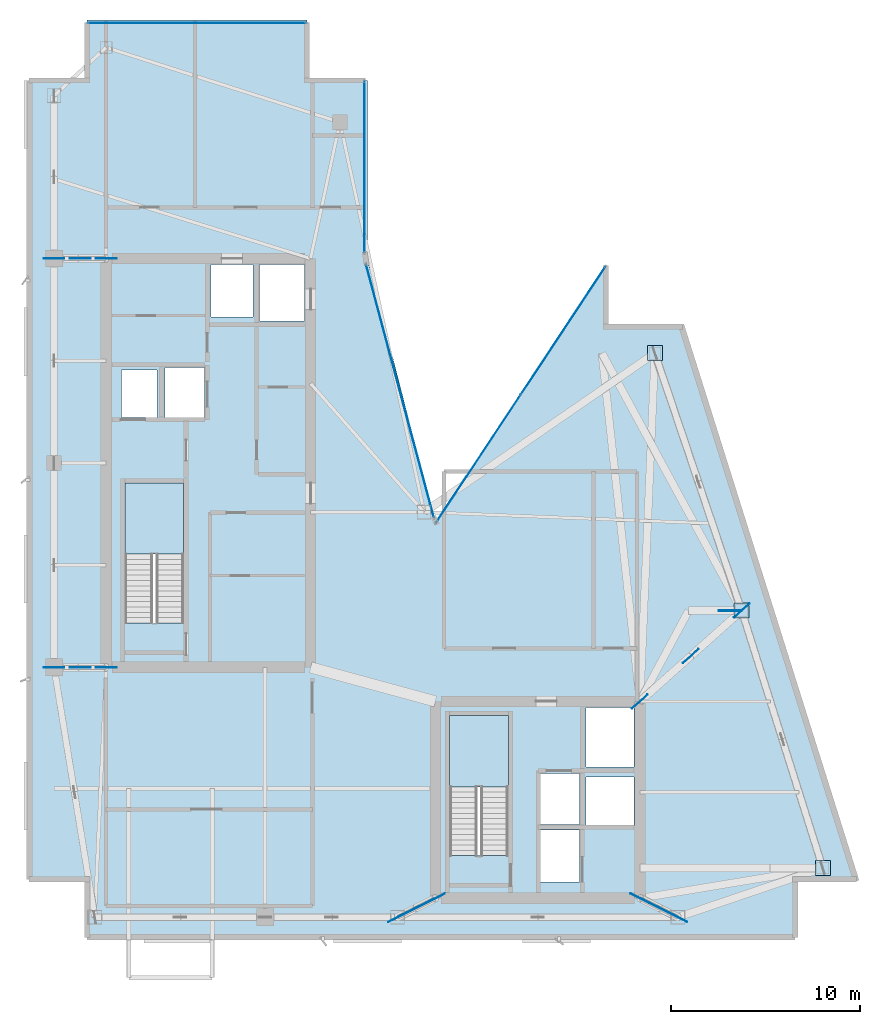
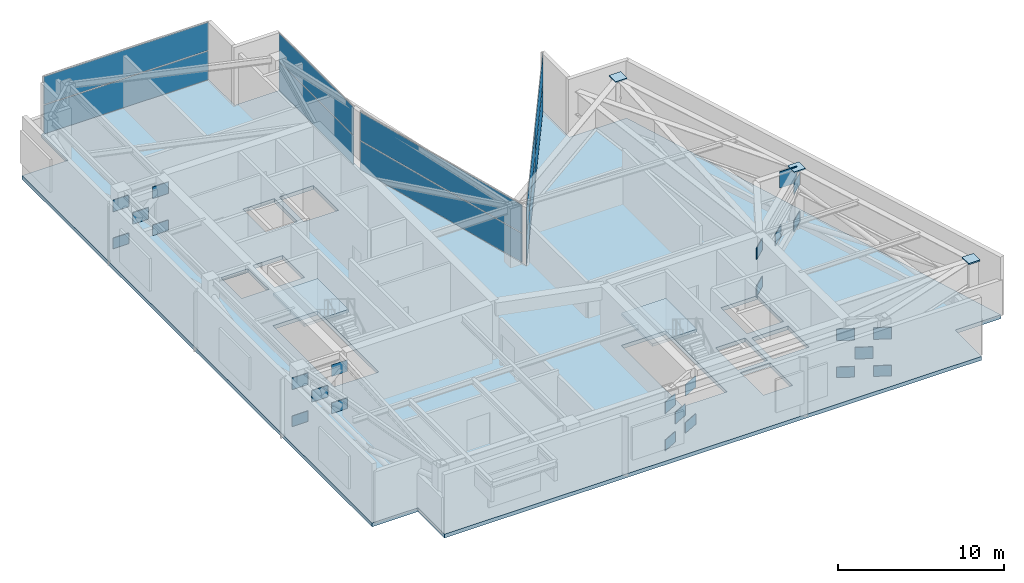
# One storey, part 9 of 15: 39 plates, 3 slabs, 6 elements without a shape of their own.
"""IFC4 building model written with IfcOpenShell, lengths in metres."""

import ifcopenshell
import ifcopenshell.guid

model = None  # the IFC model being written
_history = None  # IfcOwnerHistory: only IFC2X3 demands one
_inside = {}  # id of a spatial element -> (the spatial element, [elements in it])
_under = {}  # id of a project, library or spatial element -> (it, [spatial elements below it])
_declared = {}  # id of a project -> (the project, [libraries it declares])
_typed = {}  # id of a type object -> (the type object, [elements of that type])
_made_of = {}  # id of a material, layer set ... -> (it, [elements and type objects made of it])


def new_model(schema):
    """Start an empty IFC model of exactly this schema.

    Asked for "IFC4X3", IfcOpenShell would pick the latest addendum, in which some entities
    have other attributes; the version numbers below select the first issue.
    IFC2X3 requires an IfcOwnerHistory on every rooted entity: one is made here for all.
    """
    global model, _history
    if schema == "IFC4X3":
        model = ifcopenshell.file(schema_version=(4, 3, 0, 0))
    else:
        model = ifcopenshell.file(schema=schema)
    _inside.clear()
    _under.clear()
    _declared.clear()
    _typed.clear()
    _made_of.clear()
    _history = None
    if model.schema == "IFC2X3":
        org = make("IfcOrganization", Name="unknown")
        user = make(
            "IfcPersonAndOrganization",
            ThePerson=make("IfcPerson", FamilyName="unknown"),
            TheOrganization=org,
        )
        app = make(
            "IfcApplication",
            ApplicationDeveloper=org,
            Version="unknown",
            ApplicationFullName="unknown",
            ApplicationIdentifier="unknown",
        )
        _history = make(
            "IfcOwnerHistory",
            OwningUser=user,
            OwningApplication=app,
            ChangeAction="ADDED",
            CreationDate=0,
        )
    return model


def make(cls, **values):
    """One entity of the class cls with the attributes given. An attribute that is None is left unset."""
    return model.create_entity(
        cls, **{name: value for name, value in values.items() if value is not None}
    )


def rooted(cls, **values):
    """An entity with a GlobalId (a new one), such as an element, a storey or a relation."""
    return make(cls, GlobalId=ifcopenshell.guid.new(), OwnerHistory=_history, **values)


def si_unit(unit_type, name, prefix=None):
    """IfcSIUnit, for example si_unit("LENGTHUNIT", "METRE", prefix="MILLI")."""
    return make("IfcSIUnit", UnitType=unit_type, Prefix=prefix, Name=name)


def assignment(units):
    """IfcUnitAssignment: the units of a project."""
    return None if units is None else make("IfcUnitAssignment", Units=units)


def point(xyz):
    """IfcCartesianPoint."""
    return None if xyz is None else make("IfcCartesianPoint", Coordinates=xyz)


def direction(xyz):
    """IfcDirection."""
    return None if xyz is None else make("IfcDirection", DirectionRatios=xyz)


def frame(location, z_axis=None, x_axis=None):
    """IfcAxis2Placement3D, a coordinate frame: its origin and axes. An axis left out is left unset."""
    return make(
        "IfcAxis2Placement3D",
        Location=point(location),
        Axis=direction(z_axis),
        RefDirection=direction(x_axis),
    )


def frame_2d(location, x_axis=None):
    """IfcAxis2Placement2D, a coordinate frame in the plane: its origin and x axis."""
    return make(
        "IfcAxis2Placement2D", Location=point(location), RefDirection=direction(x_axis)
    )


def origin():
    """The frame at (0, 0, 0) with its axes left unset."""
    return frame((0.0, 0.0, 0.0))


def origin_2d():
    """The frame at (0, 0) in the plane with its x axis left unset."""
    return frame_2d((0.0, 0.0))


def place(relative_to, where):
    """IfcLocalPlacement: puts the frame where relative to a parent placement (None: the world)."""
    return make(
        "IfcLocalPlacement", PlacementRelTo=relative_to, RelativePlacement=where
    )


def context(
    kind, dimensions, precision=None, world=None, true_north=None, identifier=None
):
    """IfcGeometricRepresentationContext, for example the 3D "Model" context."""
    return make(
        "IfcGeometricRepresentationContext",
        ContextIdentifier=identifier,
        ContextType=kind,
        CoordinateSpaceDimension=dimensions,
        Precision=precision,
        WorldCoordinateSystem=world,
        TrueNorth=true_north,
    )


def subcontext(parent, identifier, kind, view, scale=None):
    """IfcGeometricRepresentationSubContext, for example "Body" below "Model"."""
    return make(
        "IfcGeometricRepresentationSubContext",
        ContextIdentifier=identifier,
        ContextType=kind,
        ParentContext=parent,
        TargetScale=scale,
        TargetView=view,
    )


def project(units=None, contexts=None):
    """IfcProject with its units and contexts."""
    return rooted(
        "IfcProject",
        Name="project",
        RepresentationContexts=contexts,
        UnitsInContext=assignment(units),
    )


def spatial(cls, under=None, at=None, **own):
    """A site, building, storey or space (cls), placed at a placement, below another one or the project."""
    s = rooted(cls, ObjectPlacement=at, **own)
    if under is not None:
        _under.setdefault(under.id(), (under, []))[1].append(s)
    return s


def polyline(points):
    """IfcPolyline through the points."""
    return make("IfcPolyline", Points=[point(p) for p in points])


def profile(cls, at=None, kind="AREA", **sizes):
    """A parametric profile (cls). Its sizes go by their IFC names, for example OverallWidth=200.0."""
    return make(cls, ProfileType=kind, Position=at, **sizes)


def rectangle(**sizes):
    """IfcRectangleProfileDef."""
    return profile("IfcRectangleProfileDef", **sizes)


def outline(outer, holes=None, kind="AREA"):
    """IfcArbitraryClosedProfileDef: a profile drawn as a closed curve; with holes, ...WithVoids."""
    if holes is None:
        return make("IfcArbitraryClosedProfileDef", ProfileType=kind, OuterCurve=outer)
    return make(
        "IfcArbitraryProfileDefWithVoids",
        ProfileType=kind,
        OuterCurve=outer,
        InnerCurves=holes,
    )


def extrude(swept, where, along, depth):
    """IfcExtrudedAreaSolid: the profile swept, set in the frame where, extruded along a direction by depth."""
    return make(
        "IfcExtrudedAreaSolid",
        SweptArea=swept,
        Position=where,
        ExtrudedDirection=direction(along),
        Depth=depth,
    )


def shape(context_of_items, identifier, shape_type, items):
    """IfcShapeRepresentation: the items that make up one representation, for example the "Body"."""
    return make(
        "IfcShapeRepresentation",
        ContextOfItems=context_of_items,
        RepresentationIdentifier=identifier,
        RepresentationType=shape_type,
        Items=items,
    )


def material(Name=None, Category=None):
    """IfcMaterial."""
    return make("IfcMaterial", Name=Name, Category=Category)


def layer(
    of_material, thickness, ventilated=None, Name=None, Category=None, Priority=None
):
    """IfcMaterialLayer: one layer of a wall or slab, of a material (None: an air gap)."""
    return make(
        "IfcMaterialLayer",
        Material=of_material,
        LayerThickness=thickness,
        IsVentilated=ventilated,
        Name=Name,
        Category=Category,
        Priority=Priority,
    )


def layer_set(layers, Name=None):
    """IfcMaterialLayerSet."""
    return make("IfcMaterialLayerSet", MaterialLayers=layers, LayerSetName=Name)


def made_of(thing, what):
    """Note that an element or type object is made of a material, layer set ...; save() writes the relation."""
    if what is not None:
        _made_of.setdefault(what.id(), (what, []))[1].append(thing)
    return thing


def type_object(cls, material=None, **own):
    """A type object (cls), such as IfcWallType, which elements share."""
    return made_of(rooted(cls, **own), material)


def element(
    cls,
    number,
    at=None,
    inside=None,
    cuts=None,
    type_object=None,
    material=None,
    context=None,
    identifier="Body",
    shape_type=None,
    held_by="IfcProductDefinitionShape",
    body=None,
    shapes=None,
    **own,
):
    """One element of the class cls, such as IfcWall. Its Tag is "e" and its number.

    at: its placement. inside: the storey or other place that contains it. cuts: it is an
    opening in that element (IfcRelVoidsElement). A single representation is given by context,
    identifier, shape_type and body (its items); several are given by shapes. held_by: the class
    of the entity that holds the representations. save() writes the other relations.
    """
    e = rooted(cls, Tag="e%d" % number, ObjectPlacement=at, **own)
    if body is not None:
        shapes = [shape(context, identifier, shape_type, body)]
    if shapes is not None:
        e.Representation = make(held_by, Representations=shapes)
    if inside is not None:
        _inside.setdefault(inside.id(), (inside, []))[1].append(e)
    if cuts is not None:
        rooted(
            "IfcRelVoidsElement", RelatingBuildingElement=cuts, RelatedOpeningElement=e
        )
    if type_object is not None:
        _typed.setdefault(type_object.id(), (type_object, []))[1].append(e)
    return made_of(e, material)


def aggregate(whole, parts):
    """IfcRelAggregates: a whole, such as a stair, and the parts it consists of."""
    return rooted("IfcRelAggregates", RelatingObject=whole, RelatedObjects=parts)


def save(model, path):
    """Write the relations noted so far, then the file.

    IfcRelAggregates (storeys below a building ...), IfcRelContainedInSpatialStructure (elements
    in a storey), IfcRelDefinesByType, IfcRelAssociatesMaterial and IfcRelDeclares: one each for
    every whole, place, type object, material and project.
    """
    for whole, parts in _under.values():
        aggregate(whole, parts)
    for where, things in _inside.values():
        rooted(
            "IfcRelContainedInSpatialStructure",
            RelatedElements=things,
            RelatingStructure=where,
        )
    for kind, things in _typed.values():
        rooted("IfcRelDefinesByType", RelatedObjects=things, RelatingType=kind)
    for what, things in _made_of.values():
        rooted("IfcRelAssociatesMaterial", RelatedObjects=things, RelatingMaterial=what)
    for by, libraries in _declared.values():
        rooted("IfcRelDeclares", RelatingContext=by, RelatedDefinitions=libraries)
    model.write(path)


model = new_model("IFC4")

# Units and contexts
model_context = context("Model", 3, precision=1e-05, world=origin(), true_north=direction((0.0, 1.0)))
body_context = subcontext(model_context, "Body", "Model", "MODEL_VIEW")
ifc_project = project(units=[si_unit("LENGTHUNIT", "METRE"), si_unit("AREAUNIT", "SQUARE_METRE"), si_unit("VOLUMEUNIT", "CUBIC_METRE"), si_unit("PLANEANGLEUNIT", "RADIAN"), si_unit("MASSUNIT", "GRAM", prefix="KILO")], contexts=[model_context])

# Site, building, storey
site_placement = place(None, origin())
site = spatial("IfcSite", under=ifc_project, at=site_placement, CompositionType="ELEMENT")
building_placement = place(site_placement, origin())
building = spatial("IfcBuilding", under=site, at=building_placement, Name="Calvorn Quay Hotel", CompositionType="ELEMENT")
storey_placement = place(building_placement, frame((0.0, 0.0, 282.5)))
storey = spatial("IfcBuildingStorey", under=building, at=storey_placement, Name="L70", CompositionType="ELEMENT", Elevation=282.5)

# Curtain wall, plates
ifc_material_1 = material(Name="Champagne Bronze Anodised Aluminium and Low-E Glass", Category="aluminium")
ifc_layer_1 = layer(ifc_material_1, 0.219970703125)
ifc_layer_set_1 = layer_set([ifc_layer_1], Name="CW-SYS-Z4")
curtain_wall_type = type_object("IfcCurtainWallType", Name="CW-SYS-Z4", PredefinedType="NOTDEFINED", material=ifc_layer_set_1)
curtain_wall_1_placement = place(storey_placement, origin())
curtain_wall_1 = element("IfcCurtainWall", 1, at=curtain_wall_1_placement, inside=storey, type_object=curtain_wall_type, Name="Inner Court Curtain Wall L70-NE1", PredefinedType="NOTDEFINED")
ifc_material_2 = material(Name="Low-E Laminated Double Glazing", Category="glass")
ifc_layer_2 = layer(ifc_material_2, 0.028076171875)
ifc_layer_set_2 = layer_set([ifc_layer_2], Name="CW-SYS-Z4-PAN")
plate_type_1 = type_object("IfcPlateType", Name="CW-SYS-Z4-PAN", PredefinedType="CURTAIN_PANEL", material=ifc_layer_set_2)
plate_1_placement = place(storey_placement, frame((28.341796875, 34.58740234375, 0.06005859375), z_axis=(0.0, 0.0, 1.0), x_axis=(-0.551866900852, -0.833932205724, 0.0)))
plate_1 = element("IfcPlate", 2, at=plate_1_placement, type_object=plate_type_1, Name="CW-L70-NE1 panel 1.1", PredefinedType="CURTAIN_PANEL", context=body_context, shape_type="SweptSolid", body=[
    extrude(rectangle(XDim=8.064208984375, YDim=0.028076171875, at=origin_2d()), origin(), (0.0, 0.0, 1.0), 2.110107421875),
])
plate_2_placement = place(storey_placement, frame((28.341796875, 34.58740234375, 2.22998046875), z_axis=(0.0, 0.0, 1.0), x_axis=(-0.551866900852, -0.833932205724, 0.0)))
plate_2 = element("IfcPlate", 3, at=plate_2_placement, type_object=plate_type_1, Name="CW-L70-NE1 panel 1.2", PredefinedType="CURTAIN_PANEL", context=body_context, shape_type="SweptSolid", body=[
    extrude(rectangle(XDim=8.064208984375, YDim=0.028076171875, at=origin_2d()), origin(), (0.0, 0.0, 1.0), 2.06005859375),
])
plate_3_placement = place(storey_placement, frame((23.8583984375, 27.8125, 0.06005859375), z_axis=(0.0, 0.0, 1.0), x_axis=(-0.551866900852, -0.833932205724, 0.0)))
plate_3 = element("IfcPlate", 4, at=plate_3_placement, type_object=plate_type_1, Name="CW-L70-NE1 panel 2.1", PredefinedType="CURTAIN_PANEL", context=body_context, shape_type="SweptSolid", body=[
    extrude(rectangle(XDim=8.064208984375, YDim=0.028076171875, at=origin_2d()), origin(), (0.0, 0.0, 1.0), 2.110107421875),
])
plate_4_placement = place(storey_placement, frame((23.8583984375, 27.8125, 2.22998046875), z_axis=(0.0, 0.0, 1.0), x_axis=(-0.551866900852, -0.833932205724, 0.0)))
plate_4 = element("IfcPlate", 5, at=plate_4_placement, type_object=plate_type_1, Name="CW-L70-NE1 panel 2.2", PredefinedType="CURTAIN_PANEL", context=body_context, shape_type="SweptSolid", body=[
    extrude(rectangle(XDim=8.064208984375, YDim=0.028076171875, at=origin_2d()), origin(), (0.0, 0.0, 1.0), 2.06005859375),
])
aggregate(curtain_wall_1, [plate_1, plate_2, plate_3, plate_4])

curtain_wall_2_placement = place(storey_placement, origin())
curtain_wall_2 = element("IfcCurtainWall", 6, at=curtain_wall_2_placement, inside=storey, type_object=curtain_wall_type, Name="Inner Court Curtain Wall L70-IC1", PredefinedType="NOTDEFINED")
plate_5_placement = place(storey_placement, frame((19.72509765625, 31.39990234375, 0.06005859375), z_axis=(0.0, 0.0, 1.0), x_axis=(-0.25877913024, 0.96593652056, 0.0)))
plate_5 = element("IfcPlate", 7, at=plate_5_placement, type_object=plate_type_1, Name="CW-L70-IC1 panel 1.1", PredefinedType="CURTAIN_PANEL", context=body_context, shape_type="SweptSolid", body=[
    extrude(rectangle(XDim=13.814697265625, YDim=0.028076171875, at=origin_2d()), origin(), (0.0, 0.0, 1.0), 2.110107421875),
])
plate_6_placement = place(storey_placement, frame((19.72509765625, 31.39990234375, 2.22998046875), z_axis=(0.0, 0.0, 1.0), x_axis=(-0.25877913024, 0.96593652056, 0.0)))
plate_6 = element("IfcPlate", 8, at=plate_6_placement, type_object=plate_type_1, Name="CW-L70-IC1 panel 1.2", PredefinedType="CURTAIN_PANEL", context=body_context, shape_type="SweptSolid", body=[
    extrude(rectangle(XDim=13.814697265625, YDim=0.028076171875, at=origin_2d()), origin(), (0.0, 0.0, 1.0), 2.06005859375),
])
aggregate(curtain_wall_2, [plate_5, plate_6])

curtain_wall_3_placement = place(storey_placement, origin())
curtain_wall_3 = element("IfcCurtainWall", 9, at=curtain_wall_3_placement, inside=storey, type_object=curtain_wall_type, Name="Inner Court Curtain Wall L70-IC2", PredefinedType="NOTDEFINED")
plate_7_placement = place(storey_placement, frame((17.85009765625, 43.239990234375, 0.06005859375), z_axis=(0.0, 0.0, 1.0), x_axis=(0.0, 1.0, 0.0)))
plate_7 = element("IfcPlate", 10, at=plate_7_placement, type_object=plate_type_1, Name="CW-L70-IC2 panel 1.1", PredefinedType="CURTAIN_PANEL", context=body_context, shape_type="SweptSolid", body=[
    extrude(rectangle(XDim=9.0, YDim=0.028076171875, at=origin_2d()), origin(), (0.0, 0.0, 1.0), 2.110107421875),
])
plate_8_placement = place(storey_placement, frame((17.85009765625, 43.239990234375, 2.22998046875), z_axis=(0.0, 0.0, 1.0), x_axis=(0.0, 1.0, 0.0)))
plate_8 = element("IfcPlate", 11, at=plate_8_placement, type_object=plate_type_1, Name="CW-L70-IC2 panel 1.2", PredefinedType="CURTAIN_PANEL", context=body_context, shape_type="SweptSolid", body=[
    extrude(rectangle(XDim=9.0, YDim=0.028076171875, at=origin_2d()), origin(), (0.0, 0.0, 1.0), 2.06005859375),
])
aggregate(curtain_wall_3, [plate_7, plate_8])

curtain_wall_4_placement = place(storey_placement, origin())
curtain_wall_4 = element("IfcCurtainWall", 12, at=curtain_wall_4_placement, inside=storey, type_object=curtain_wall_type, Name="Inner Court Curtain Wall L70-N1", PredefinedType="NOTDEFINED")
plate_9_placement = place(storey_placement, frame((9.0, 50.85009765625, 0.06005859375), z_axis=(0.0, 0.0, 1.0), x_axis=(-1.0, 0.0, 0.0)))
plate_9 = element("IfcPlate", 13, at=plate_9_placement, type_object=plate_type_1, Name="CW-L70-N1 panel 1.1", PredefinedType="CURTAIN_PANEL", context=body_context, shape_type="SweptSolid", body=[
    extrude(rectangle(XDim=11.47998046875, YDim=0.028076171875, at=origin_2d()), origin(), (0.0, 0.0, 1.0), 2.110107421875),
])
plate_10_placement = place(storey_placement, frame((9.0, 50.85009765625, 2.22998046875), z_axis=(0.0, 0.0, 1.0), x_axis=(-1.0, 0.0, 0.0)))
plate_10 = element("IfcPlate", 14, at=plate_10_placement, type_object=plate_type_1, Name="CW-L70-N1 panel 1.2", PredefinedType="CURTAIN_PANEL", context=body_context, shape_type="SweptSolid", body=[
    extrude(rectangle(XDim=11.47998046875, YDim=0.028076171875, at=origin_2d()), origin(), (0.0, 0.0, 1.0), 2.06005859375),
])
aggregate(curtain_wall_4, [plate_9, plate_10])

# Plates
ifc_material_3 = material(Name="Steel Q390GJC", Category="steel")
ifc_layer_3 = layer(ifc_material_3, 0.035888671875)
ifc_layer_set_3 = layer_set([ifc_layer_3], Name="PLT-GUSSET-36")
plate_type_2 = type_object("IfcPlateType", Name="PLT-GUSSET-36", PredefinedType="SHEET", material=ifc_layer_set_3)
for number, where, z_axis, x_axis, name in (
    (15, (4.199951171875, 16.800048828125, -0.074951171875), (0.0, 0.0, 1.0), (-1.0, 0.0, 0.0), "Outrigger Gusset Plate L70-OW1-C"),
    (16, (4.199951171875, 16.800048828125, 2.724853515625), (0.0, 0.0, 1.0), (-1.0, 0.0, 0.0), "Outrigger Gusset Plate L70-OW1-CT"),
    (17, (2.824951171875, 16.800048828125, 1.324951171875), (0.0, 0.0, 1.0), (-1.0, 0.0, 0.0), "Outrigger Gusset Plate L70-OW1-X"),
    (18, (1.449951171875, 16.800048828125, -0.074951171875), (0.0, 0.0, 1.0), (-1.0, 0.0, 0.0), "Outrigger Gusset Plate L70-OW1-E"),
    (19, (1.449951171875, 16.800048828125, 2.724853515625), (0.0, 0.0, 1.0), (-1.0, 0.0, 0.0), "Outrigger Gusset Plate L70-OW1-ET"),
    (20, (4.199951171875, 38.39990234375, -0.074951171875), (0.0, 0.0, 1.0), (-1.0, 0.0, 0.0), "Outrigger Gusset Plate L70-OW2-C"),
    (21, (4.199951171875, 38.39990234375, 2.724853515625), (0.0, 0.0, 1.0), (-1.0, 0.0, 0.0), "Outrigger Gusset Plate L70-OW2-CT"),
    (22, (2.824951171875, 38.39990234375, 1.324951171875), (0.0, 0.0, 1.0), (-1.0, 0.0, 0.0), "Outrigger Gusset Plate L70-OW2-X"),
    (23, (1.449951171875, 38.39990234375, -0.074951171875), (0.0, 0.0, 1.0), (-1.0, 0.0, 0.0), "Outrigger Gusset Plate L70-OW2-E"),
    (24, (1.449951171875, 38.39990234375, 2.724853515625), (0.0, 0.0, 1.0), (-1.0, 0.0, 0.0), "Outrigger Gusset Plate L70-OW2-ET"),
    (25, (21.60009765625, 4.60009765625, -0.074951171875), (0.0, 0.0, 1.0), (-0.89438856037, -0.447290848419, 0.0), "Outrigger Gusset Plate L70-OE1-C"),
    (26, (21.60009765625, 4.60009765625, 2.724853515625), (0.0, 0.0, 1.0), (-0.89438856037, -0.447290848419, 0.0), "Outrigger Gusset Plate L70-OE1-CT"),
    (27, (20.60009765625, 4.10009765625, 1.324951171875), (0.0, 0.0, 1.0), (-0.89438856037, -0.447290848419, 0.0), "Outrigger Gusset Plate L70-OE1-X"),
    (28, (19.60009765625, 3.60009765625, -0.074951171875), (0.0, 0.0, 1.0), (-0.89438856037, -0.447290848419, 0.0), "Outrigger Gusset Plate L70-OE1-E"),
    (29, (19.60009765625, 3.60009765625, 2.724853515625), (0.0, 0.0, 1.0), (-0.89438856037, -0.447290848419, 0.0), "Outrigger Gusset Plate L70-OE1-ET"),
    (30, (32.39990234375, 4.60009765625, -0.074951171875), (0.0, 0.0, 1.0), (0.89438856037, -0.447290848419, 0.0), "Outrigger Gusset Plate L70-OE2-C"),
    (31, (32.39990234375, 4.60009765625, 2.724853515625), (0.0, 0.0, 1.0), (0.89438856037, -0.447290848419, 0.0), "Outrigger Gusset Plate L70-OE2-CT"),
    (32, (33.39990234375, 4.10009765625, 1.324951171875), (0.0, 0.0, 1.0), (0.89438856037, -0.447290848419, 0.0), "Outrigger Gusset Plate L70-OE2-X"),
    (33, (34.39990234375, 3.60009765625, -0.074951171875), (0.0, 0.0, 1.0), (0.89438856037, -0.447290848419, 0.0), "Outrigger Gusset Plate L70-OE2-E"),
    (34, (34.39990234375, 3.60009765625, 2.724853515625), (0.0, 0.0, 1.0), (0.89438856037, -0.447290848419, 0.0), "Outrigger Gusset Plate L70-OE2-ET"),
    (35, (32.39990234375, 15.0, -0.074951171875), (0.0, 0.0, 1.0), (0.745941145424, 0.666011867434, 0.0), "Outrigger Gusset Plate L70-OE3-C"),
    (36, (32.39990234375, 15.0, 2.724853515625), (0.0, 0.0, 1.0), (0.745941145424, 0.666011867434, 0.0), "Outrigger Gusset Plate L70-OE3-CT"),
    (37, (35.087890625, 17.39990234375, 1.324951171875), (0.0, 0.0, 1.0), (0.745941145424, 0.666011867434, 0.0), "Outrigger Gusset Plate L70-OE3-X"),
    (38, (37.77587890625, 19.800048828125, -0.074951171875), (0.0, 0.0, 1.0), (0.745941145424, 0.666011867434, 0.0), "Outrigger Gusset Plate L70-OE3-E"),
    (39, (37.77587890625, 19.800048828125, 2.724853515625), (0.0, 0.0, 1.0), (0.745941145424, 0.666011867434, 0.0), "Outrigger Gusset Plate L70-OE3-ET"),
):
    element("IfcPlate", number, at=place(storey_placement, frame(where, z_axis=z_axis, x_axis=x_axis)), inside=storey, type_object=plate_type_2, Name=name, PredefinedType="SHEET", context=body_context, shape_type="SweptSolid", body=[
        extrude(rectangle(XDim=1.10009765625, YDim=0.035888671875, at=origin_2d()), origin(), (0.0, 0.0, 1.0), 0.85009765625),
    ])
ifc_material_4 = material(Name="Steel Q420GJC", Category="steel")
ifc_layer_4 = layer(ifc_material_4, 0.050048828125)
ifc_layer_set_4 = layer_set([ifc_layer_4], Name="PLT-GUSSET-50")
plate_type_3 = type_object("IfcPlateType", Name="PLT-GUSSET-50", PredefinedType="SHEET", material=ifc_layer_set_4)
plate_11_placement = place(storey_placement, frame((37.176025390625, 19.800048828125, 3.25), z_axis=(0.0, 0.0, 1.0), x_axis=(1.0, 0.0, 0.0)))
element("IfcPlate", 40, at=plate_11_placement, inside=storey, type_object=plate_type_3, Name="Transfer Gusset Plate PG-L70-E1", PredefinedType="SHEET", context=body_context, shape_type="SweptSolid", body=[
    extrude(rectangle(XDim=1.199951171875, YDim=0.050048828125, at=origin_2d()), origin(), (0.0, 0.0, 1.0), 1.199951171875),
])
ifc_material_5 = material(Name="Steel Q390GJC", Category="steel")
ifc_layer_5 = layer(ifc_material_5, 0.031982421875)
ifc_layer_set_5 = layer_set([ifc_layer_5], Name="PLT-SPLICE-32")
plate_type_4 = type_object("IfcPlateType", Name="PLT-SPLICE-32", PredefinedType="USERDEFINED", material=ifc_layer_set_5)
for number, where, z_axis, x_axis, name in (
    (41, (42.06103515625, 6.199951171875, 4.2900390625), (0.0, 0.0, 1.0), (1.0, 0.0, 0.0), "Column Top Cap Plate C-ET1 (L70)"),
    (42, (37.77587890625, 19.800048828125, 4.2900390625), (0.0, 0.0, 1.0), (1.0, 0.0, 0.0), "Column Top Cap Plate C-ET2 (L70)"),
    (43, (33.19091796875, 33.39990234375, 4.2900390625), (0.0, 0.0, 1.0), (1.0, 0.0, 0.0), "Column Top Cap Plate C-ET3 (L70)"),
):
    element("IfcPlate", number, at=place(storey_placement, frame(where, z_axis=z_axis, x_axis=x_axis)), inside=storey, type_object=plate_type_4, Name=name, ObjectType="SPLICE_PLATE", PredefinedType="USERDEFINED", context=body_context, shape_type="SweptSolid", body=[
        extrude(rectangle(XDim=0.7900390625, YDim=0.7900390625, at=origin_2d()), origin(), (0.0, 0.0, 1.0), 0.10009765625),
    ])

# Slab
ifc_material_6 = material(Name="Concrete C40", Category="concrete")
ifc_layer_6 = layer(ifc_material_6, 0.280029296875)
ifc_layer_set_6 = layer_set([ifc_layer_6], Name="SLB-REFUGE-280")
slab_type_1 = type_object("IfcSlabType", Name="SLB-REFUGE-280", PredefinedType="FLOOR", material=ifc_layer_set_6)
slab_1_placement = place(storey_placement, frame((0.0, 0.0, -0.280029296875)))
element("IfcSlab", 44, at=slab_1_placement, inside=storey, type_object=slab_type_1, Name="L70 Structural Floor Slab", PredefinedType="FLOOR", context=body_context, shape_type="SweptSolid", body=[
    extrude(outline(polyline([(0.0, 5.60009765625), (3.199951171875, 5.60009765625), (3.199951171875, 2.39990234375), (40.60009765625, 2.39990234375), (40.60009765625, 5.60009765625), (43.800048828125, 5.60009765625), (34.60009765625, 34.800048828125), (30.60009765625, 34.800048828125), (30.60009765625, 38.0), (21.60009765625, 24.39990234375), (18.0, 38.39990234375), (18.0, 47.800048828125), (14.800048828125, 47.800048828125), (14.800048828125, 51.0), (3.199951171875, 51.0), (3.199951171875, 47.800048828125), (0.0, 47.800048828125), (0.0, 5.60009765625)]), holes=[polyline([(5.199951171875, 19.156005859375), (8.300048828125, 19.156005859375), (8.300048828125, 26.550048828125), (5.199951171875, 26.550048828125), (5.199951171875, 19.156005859375)]), polyline([(22.35009765625, 6.85595703125), (25.449951171875, 6.85595703125), (25.449951171875, 14.25), (22.35009765625, 14.25), (22.35009765625, 6.85595703125)]), polyline([(5.0, 30.0), (6.89990234375, 30.0), (6.89990234375, 32.5), (5.0, 32.5), (5.0, 30.0)]), polyline([(7.300048828125, 30.0), (9.39990234375, 30.0), (9.39990234375, 32.64990234375), (7.300048828125, 32.64990234375), (7.300048828125, 30.0)]), polyline([(27.159912109375, 8.5), (29.2099609375, 8.5), (29.2099609375, 11.199951171875), (27.159912109375, 11.199951171875), (27.159912109375, 8.5)]), polyline([(27.159912109375, 5.449951171875), (29.2099609375, 5.449951171875), (29.2099609375, 8.199951171875), (27.159912109375, 8.199951171875), (27.159912109375, 5.449951171875)]), polyline([(12.300048828125, 35.10009765625), (14.68994140625, 35.10009765625), (14.68994140625, 38.090087890625), (12.300048828125, 38.090087890625), (12.300048828125, 35.10009765625)]), polyline([(9.75, 35.300048828125), (11.949951171875, 35.300048828125), (11.949951171875, 38.090087890625), (9.75, 38.090087890625), (9.75, 35.300048828125)]), polyline([(29.550048828125, 11.550048828125), (32.090087890625, 11.550048828125), (32.090087890625, 14.68994140625), (29.550048828125, 14.68994140625), (29.550048828125, 11.550048828125)]), polyline([(29.550048828125, 8.449951171875), (32.090087890625, 8.449951171875), (32.090087890625, 11.0), (29.550048828125, 11.0), (29.550048828125, 8.449951171875)])]), origin(), (0.0, 0.0, 1.0), 0.280029296875),
])

# Stair, slab
ifc_material_7 = material(Name="Concrete C40", Category="concrete")
stair_type = type_object("IfcStairType", Name="STR-CORE-DOGLEG", PredefinedType="HALF_TURN_STAIR", material=ifc_material_7)
stair_1_placement = place(storey_placement, origin())
stair_1 = element("IfcStair", 45, at=stair_1_placement, inside=storey, type_object=stair_type, Name="L70 ST-W", PredefinedType="HALF_TURN_STAIR")
ifc_material_8 = material(Name="Concrete C40", Category="concrete")
ifc_layer_7 = layer(ifc_material_8, 0.199951171875)
ifc_layer_set_7 = layer_set([ifc_layer_7], Name="SLB-STAIR-LANDING-200")
slab_type_2 = type_object("IfcSlabType", Name="SLB-STAIR-LANDING-200", PredefinedType="LANDING", material=ifc_layer_set_7)
slab_2_placement = place(storey_placement, frame((0.0, 0.0, 2.199951171875)))
slab_2 = element("IfcSlab", 46, at=slab_2_placement, type_object=slab_type_2, Name="ST-W landing 1", PredefinedType="LANDING", context=body_context, shape_type="SweptSolid", body=[
    extrude(outline(polyline([(8.300048828125, 22.7900390625), (8.300048828125, 26.550048828125), (5.199951171875, 26.550048828125), (5.199951171875, 22.7900390625), (8.300048828125, 22.7900390625)])), origin(), (0.0, 0.0, 1.0), 0.199951171875),
])
aggregate(stair_1, [slab_2])

stair_2_placement = place(storey_placement, origin())
stair_2 = element("IfcStair", 47, at=stair_2_placement, inside=storey, type_object=stair_type, Name="L70 ST-E", PredefinedType="HALF_TURN_STAIR")
slab_3_placement = place(storey_placement, frame((0.0, 0.0, 2.199951171875)))
slab_3 = element("IfcSlab", 48, at=slab_3_placement, type_object=slab_type_2, Name="ST-E landing 1", PredefinedType="LANDING", context=body_context, shape_type="SweptSolid", body=[
    extrude(outline(polyline([(25.449951171875, 10.489990234375), (25.449951171875, 14.25), (22.35009765625, 14.25), (22.35009765625, 10.489990234375), (25.449951171875, 10.489990234375)])), origin(), (0.0, 0.0, 1.0), 0.199951171875),
])
aggregate(stair_2, [slab_3])

save(model, "model.ifc")
